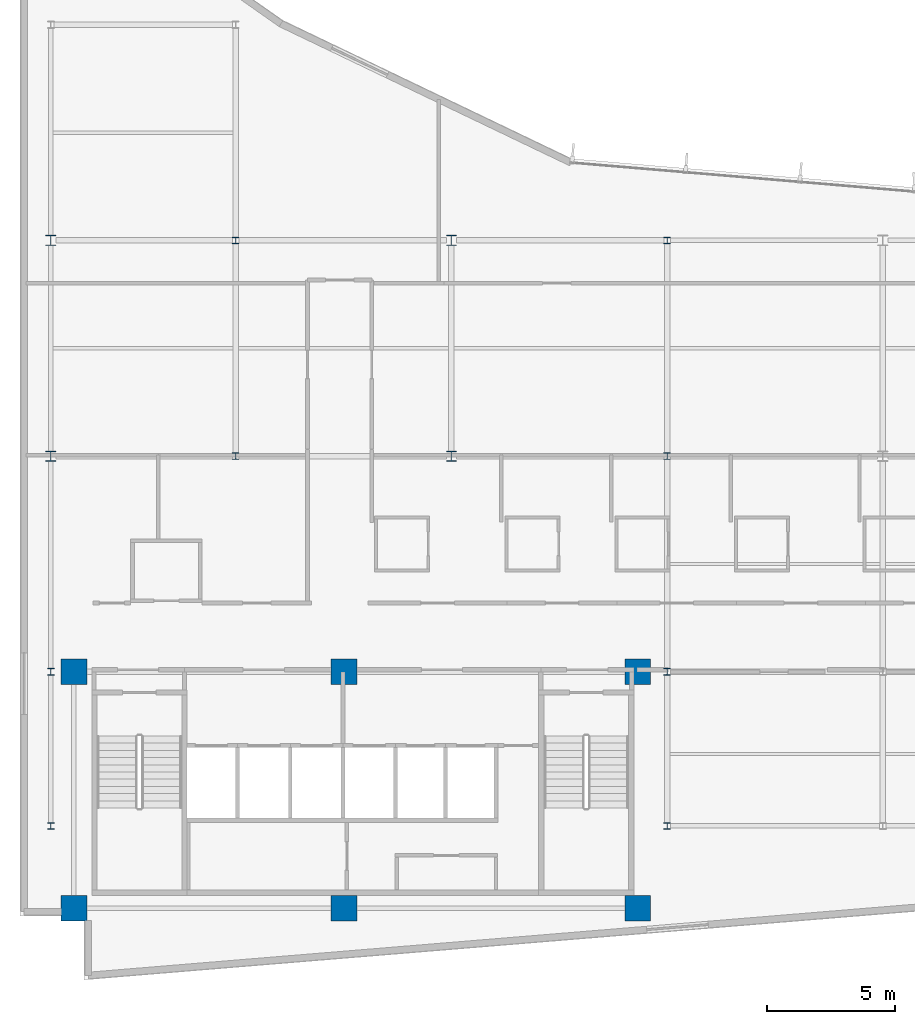
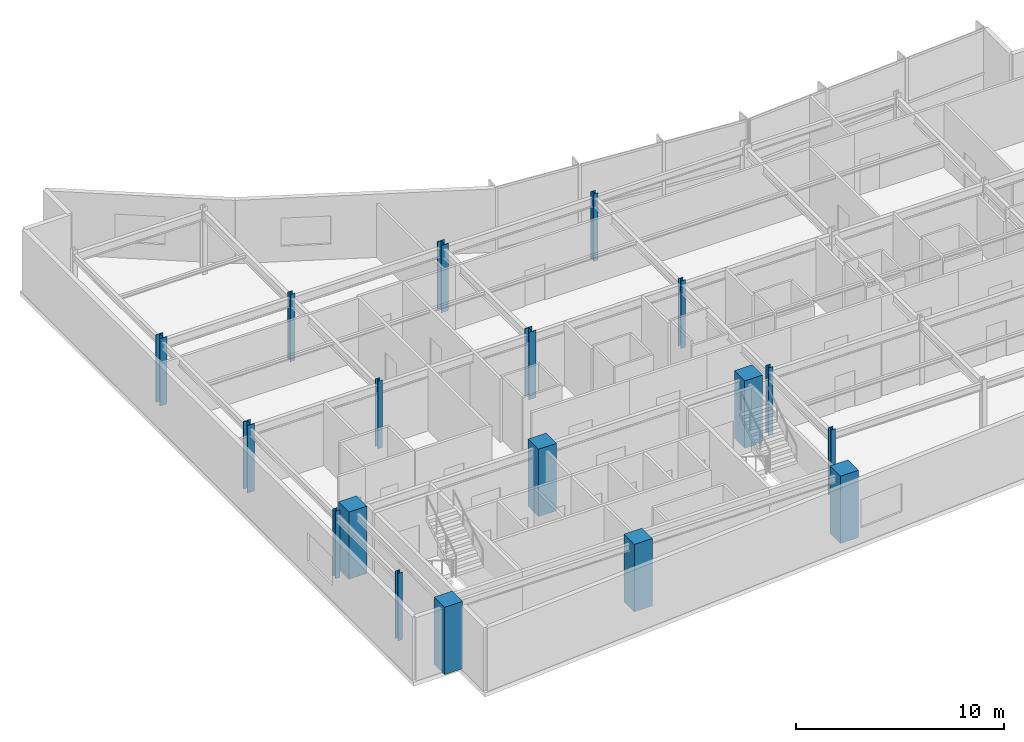
# One storey, part 1 of 15: 18 columns.
"""IFC4 building model written with IfcOpenShell, lengths in metres."""

from ifc_helpers import new_model, si_unit, direction, frame, origin, origin_2d, place, context, subcontext, project, spatial, rectangle, i_section, extrude, material, material_profile, profile_set, type_object, element, save


model = new_model("IFC4")

# Units and contexts
model_context = context("Model", 3, precision=1e-05, world=origin(), true_north=direction((0.0, 1.0)))
body_context = subcontext(model_context, "Body", "Model", "MODEL_VIEW")
ifc_project = project(units=[si_unit("LENGTHUNIT", "METRE"), si_unit("AREAUNIT", "SQUARE_METRE"), si_unit("VOLUMEUNIT", "CUBIC_METRE"), si_unit("PLANEANGLEUNIT", "RADIAN"), si_unit("MASSUNIT", "GRAM", prefix="KILO")], contexts=[model_context])

# Site, building, storey
site_placement = place(None, origin())
site = spatial("IfcSite", under=ifc_project, at=site_placement, CompositionType="ELEMENT")
building_placement = place(site_placement, origin())
building = spatial("IfcBuilding", under=site, at=building_placement, Name="Varnakote Quay Hospital", CompositionType="ELEMENT")
storey_placement = place(building_placement, frame((0.0, 0.0, 196.050048828125)))
storey = spatial("IfcBuildingStorey", under=building, at=storey_placement, Name="L48", CompositionType="ELEMENT", Elevation=196.050048828125)

# Columns
ifc_material_1 = material(Name="Concrete N65 (f'c 65 MPa)", Category="concrete")
ifc_material_profile_1 = material_profile(ifc_material_1, rectangle(XDim=1.0, YDim=1.0, at=origin_2d()), Name="RC-COL-1000x1000")
ifc_profile_set_1 = profile_set([ifc_material_profile_1], Name="Concrete N65 (f'c 65 MPa)")
column_type_1 = type_object("IfcColumnType", Name="COL-RC-1000", PredefinedType="COLUMN", material=ifc_profile_set_1)
for number, where, z_axis, x_axis, name in (
    (1, (2.10009765625, 2.800048828125, 0.0), (0.0, 0.0, 1.0), (1.0, 0.0, 0.0), "L48 Structural Column C-2-3"),
    (2, (12.6201171875, 2.800048828125, 0.0), (0.0, 0.0, 1.0), (1.0, 0.0, 0.0), "L48 Structural Column C-13-3"),
    (3, (24.050048828125, 2.800048828125, 0.0), (0.0, 0.0, 1.0), (1.0, 0.0, 0.0), "L48 Structural Column C-24-3"),
    (4, (2.10009765625, 12.0, 0.0), (0.0, 0.0, 1.0), (1.0, 0.0, 0.0), "L48 Structural Column C-2-12"),
    (5, (12.6201171875, 12.0, 0.0), (0.0, 0.0, 1.0), (1.0, 0.0, 0.0), "L48 Structural Column C-13-12"),
    (6, (24.050048828125, 12.0, 0.0), (0.0, 0.0, 1.0), (1.0, 0.0, 0.0), "L48 Structural Column C-24-12"),
):
    element("IfcColumn", number, at=place(storey_placement, frame(where, z_axis=z_axis, x_axis=x_axis)), inside=storey, type_object=column_type_1, Name=name, PredefinedType="COLUMN", context=body_context, shape_type="SweptSolid", body=[
        extrude(rectangle(XDim=1.0, YDim=1.0, at=origin_2d()), origin(), (0.0, 0.0, 1.0), 3.949951171875),
    ])
ifc_material_2 = material(Name="Structural steel AS/NZS 3679.1 Grade 350 L0 (fy 340 MPa)", Category="steel")
ifc_material_profile_2 = material_profile(ifc_material_2, i_section(OverallWidth=0.256103515625, OverallDepth=0.260009765625, WebThickness=0.010498046875, FlangeThickness=0.017333984375, FilletRadius=0.0126953125, at=origin_2d()), Name="250UC89.5")
ifc_profile_set_2 = profile_set([ifc_material_profile_2], Name="Structural steel AS/NZS 3679.1 Grade 350 L0 (fy 340 MPa)")
column_type_2 = type_object("IfcColumnType", Name="COL-STL-250UC89-5", PredefinedType="COLUMN", material=ifc_profile_set_2)
for number, where, z_axis, x_axis, name in (
    (7, (1.199951171875, 6.0, 0.0), (0.0, 0.0, 1.0), (1.0, 0.0, 0.0), "L48 Structural Column C-1-6"),
    (8, (25.199951171875, 6.0, 0.0), (0.0, 0.0, 1.0), (1.0, 0.0, 0.0), "L48 Structural Column C-25-6"),
    (9, (1.199951171875, 12.0, 0.0), (0.0, 0.0, 1.0), (1.0, 0.0, 0.0), "L48 Structural Column C-1-12"),
    (10, (25.199951171875, 12.0, 0.0), (0.0, 0.0, 1.0), (1.0, 0.0, 0.0), "L48 Structural Column C-25-12"),
    (11, (8.39990234375, 20.39990234375, 0.0), (0.0, 0.0, 1.0), (1.0, 0.0, 0.0), "L48 Structural Column C-8-20"),
    (12, (25.199951171875, 20.39990234375, 0.0), (0.0, 0.0, 1.0), (1.0, 0.0, 0.0), "L48 Structural Column C-25-20"),
    (13, (8.39990234375, 28.800048828125, 0.0), (0.0, 0.0, 1.0), (1.0, 0.0, 0.0), "L48 Structural Column C-8-29"),
    (14, (25.199951171875, 28.800048828125, 0.0), (0.0, 0.0, 1.0), (1.0, 0.0, 0.0), "L48 Structural Column C-25-29"),
):
    element("IfcColumn", number, at=place(storey_placement, frame(where, z_axis=z_axis, x_axis=x_axis)), inside=storey, type_object=column_type_2, Name=name, PredefinedType="COLUMN", context=body_context, shape_type="SweptSolid", body=[
        extrude(i_section(OverallWidth=0.256103515625, OverallDepth=0.260009765625, WebThickness=0.010498046875, FlangeThickness=0.017333984375, FilletRadius=0.0126953125, at=origin_2d()), origin(), (0.0, 0.0, 1.0), 3.949951171875),
    ])
ifc_material_3 = material(Name="Structural steel AS/NZS 3678 Grade 350 (fy 340 MPa)", Category="steel")
ifc_material_profile_3 = material_profile(ifc_material_3, i_section(OverallWidth=0.39990234375, OverallDepth=0.404052734375, WebThickness=0.02001953125, FlangeThickness=0.031982421875, at=origin_2d()), Name="400WC270")
ifc_profile_set_3 = profile_set([ifc_material_profile_3], Name="Structural steel AS/NZS 3678 Grade 350 (fy 340 MPa)")
column_type_3 = type_object("IfcColumnType", Name="COL-STL-400WC270", PredefinedType="COLUMN", material=ifc_profile_set_3)
for number, where, z_axis, x_axis, name in (
    (15, (1.199951171875, 20.39990234375, 0.0), (0.0, 0.0, 1.0), (1.0, 0.0, 0.0), "L48 Structural Column C-1-20"),
    (16, (16.800048828125, 20.39990234375, 0.0), (0.0, 0.0, 1.0), (1.0, 0.0, 0.0), "L48 Structural Column C-17-20"),
    (17, (1.199951171875, 28.800048828125, 0.0), (0.0, 0.0, 1.0), (1.0, 0.0, 0.0), "L48 Structural Column C-1-29"),
    (18, (16.800048828125, 28.800048828125, 0.0), (0.0, 0.0, 1.0), (1.0, 0.0, 0.0), "L48 Structural Column C-17-29"),
):
    element("IfcColumn", number, at=place(storey_placement, frame(where, z_axis=z_axis, x_axis=x_axis)), inside=storey, type_object=column_type_3, Name=name, PredefinedType="COLUMN", context=body_context, shape_type="SweptSolid", body=[
        extrude(i_section(OverallWidth=0.39990234375, OverallDepth=0.404052734375, WebThickness=0.02001953125, FlangeThickness=0.031982421875, at=origin_2d()), origin(), (0.0, 0.0, 1.0), 3.949951171875),
    ])

save(model, "model.ifc")
